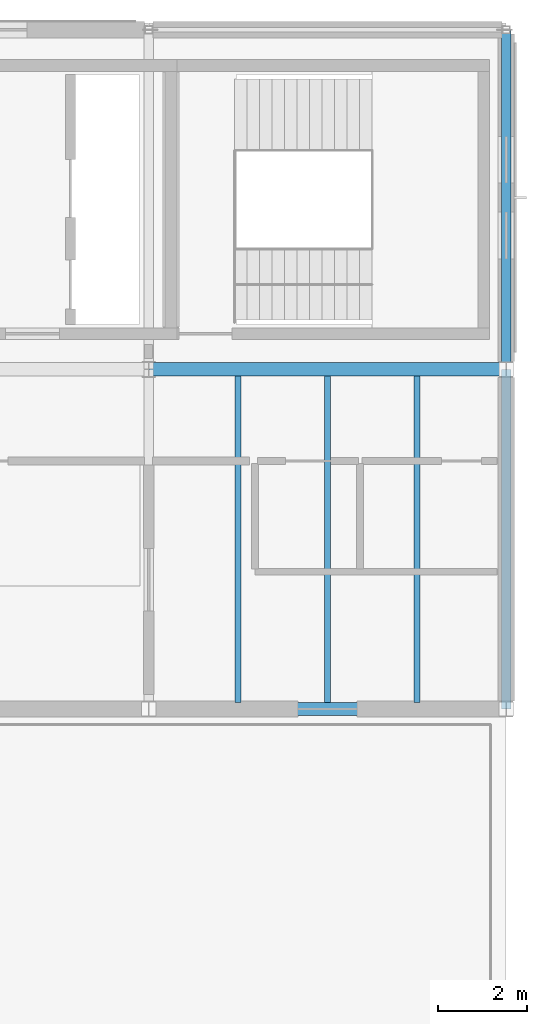
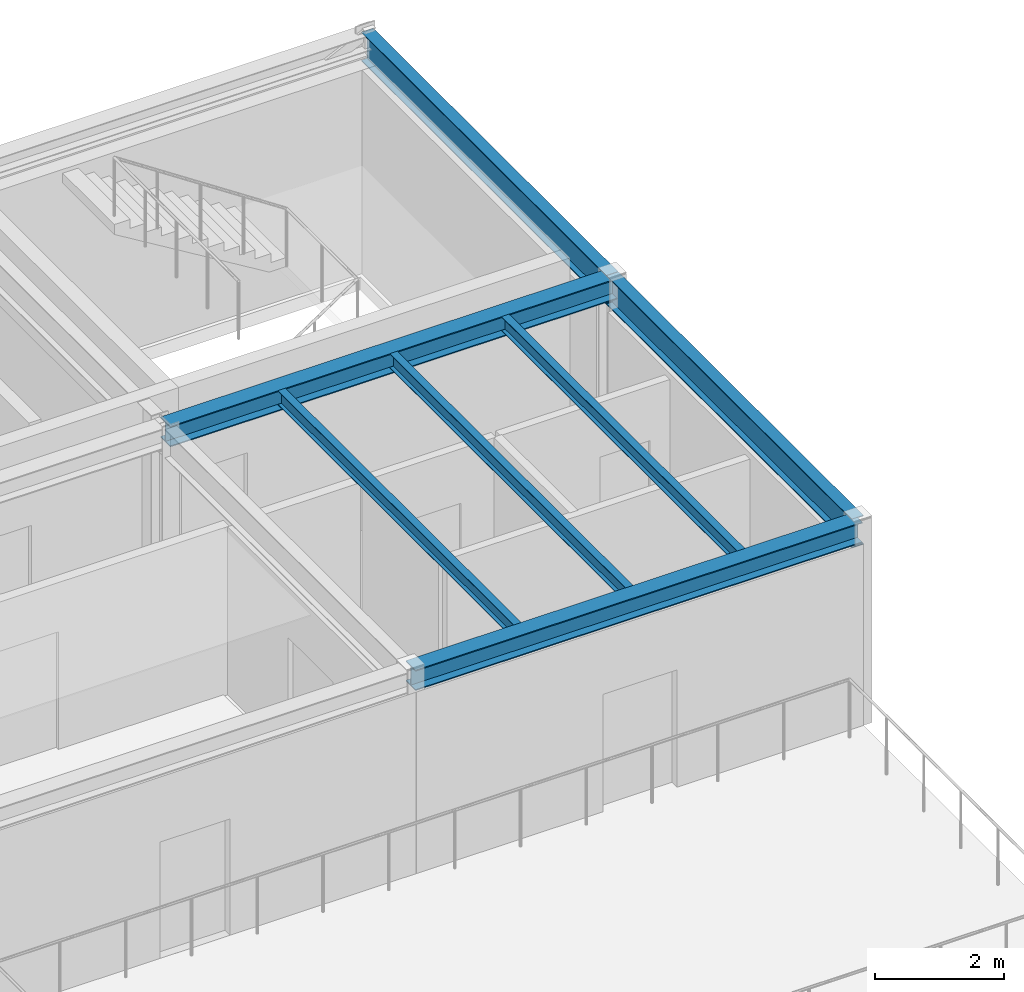
# One storey, part 15 of 26: 7 beams.
"""IFC4 building model written with IfcOpenShell, lengths in metres."""

import ifcopenshell
import ifcopenshell.guid

model = None  # the IFC model being written
_history = None  # IfcOwnerHistory: only IFC2X3 demands one
_inside = {}  # id of a spatial element -> (the spatial element, [elements in it])
_under = {}  # id of a project, library or spatial element -> (it, [spatial elements below it])
_declared = {}  # id of a project -> (the project, [libraries it declares])
_typed = {}  # id of a type object -> (the type object, [elements of that type])
_made_of = {}  # id of a material, layer set ... -> (it, [elements and type objects made of it])


def new_model(schema):
    """Start an empty IFC model of exactly this schema.

    Asked for "IFC4X3", IfcOpenShell would pick the latest addendum, in which some entities
    have other attributes; the version numbers below select the first issue.
    IFC2X3 requires an IfcOwnerHistory on every rooted entity: one is made here for all.
    """
    global model, _history
    if schema == "IFC4X3":
        model = ifcopenshell.file(schema_version=(4, 3, 0, 0))
    else:
        model = ifcopenshell.file(schema=schema)
    _inside.clear()
    _under.clear()
    _declared.clear()
    _typed.clear()
    _made_of.clear()
    _history = None
    if model.schema == "IFC2X3":
        org = make("IfcOrganization", Name="unknown")
        user = make(
            "IfcPersonAndOrganization",
            ThePerson=make("IfcPerson", FamilyName="unknown"),
            TheOrganization=org,
        )
        app = make(
            "IfcApplication",
            ApplicationDeveloper=org,
            Version="unknown",
            ApplicationFullName="unknown",
            ApplicationIdentifier="unknown",
        )
        _history = make(
            "IfcOwnerHistory",
            OwningUser=user,
            OwningApplication=app,
            ChangeAction="ADDED",
            CreationDate=0,
        )
    return model


def make(cls, **values):
    """One entity of the class cls with the attributes given. An attribute that is None is left unset."""
    return model.create_entity(
        cls, **{name: value for name, value in values.items() if value is not None}
    )


def rooted(cls, **values):
    """An entity with a GlobalId (a new one), such as an element, a storey or a relation."""
    return make(cls, GlobalId=ifcopenshell.guid.new(), OwnerHistory=_history, **values)


def si_unit(unit_type, name, prefix=None):
    """IfcSIUnit, for example si_unit("LENGTHUNIT", "METRE", prefix="MILLI")."""
    return make("IfcSIUnit", UnitType=unit_type, Prefix=prefix, Name=name)


def assignment(units):
    """IfcUnitAssignment: the units of a project."""
    return None if units is None else make("IfcUnitAssignment", Units=units)


def point(xyz):
    """IfcCartesianPoint."""
    return None if xyz is None else make("IfcCartesianPoint", Coordinates=xyz)


def direction(xyz):
    """IfcDirection."""
    return None if xyz is None else make("IfcDirection", DirectionRatios=xyz)


def frame(location, z_axis=None, x_axis=None):
    """IfcAxis2Placement3D, a coordinate frame: its origin and axes. An axis left out is left unset."""
    return make(
        "IfcAxis2Placement3D",
        Location=point(location),
        Axis=direction(z_axis),
        RefDirection=direction(x_axis),
    )


def frame_2d(location, x_axis=None):
    """IfcAxis2Placement2D, a coordinate frame in the plane: its origin and x axis."""
    return make(
        "IfcAxis2Placement2D", Location=point(location), RefDirection=direction(x_axis)
    )


def origin():
    """The frame at (0, 0, 0) with its axes left unset."""
    return frame((0.0, 0.0, 0.0))


def origin_2d():
    """The frame at (0, 0) in the plane with its x axis left unset."""
    return frame_2d((0.0, 0.0))


def place(relative_to, where):
    """IfcLocalPlacement: puts the frame where relative to a parent placement (None: the world)."""
    return make(
        "IfcLocalPlacement", PlacementRelTo=relative_to, RelativePlacement=where
    )


def context(
    kind, dimensions, precision=None, world=None, true_north=None, identifier=None
):
    """IfcGeometricRepresentationContext, for example the 3D "Model" context."""
    return make(
        "IfcGeometricRepresentationContext",
        ContextIdentifier=identifier,
        ContextType=kind,
        CoordinateSpaceDimension=dimensions,
        Precision=precision,
        WorldCoordinateSystem=world,
        TrueNorth=true_north,
    )


def subcontext(parent, identifier, kind, view, scale=None):
    """IfcGeometricRepresentationSubContext, for example "Body" below "Model"."""
    return make(
        "IfcGeometricRepresentationSubContext",
        ContextIdentifier=identifier,
        ContextType=kind,
        ParentContext=parent,
        TargetScale=scale,
        TargetView=view,
    )


def project(units=None, contexts=None):
    """IfcProject with its units and contexts."""
    return rooted(
        "IfcProject",
        Name="project",
        RepresentationContexts=contexts,
        UnitsInContext=assignment(units),
    )


def spatial(cls, under=None, at=None, **own):
    """A site, building, storey or space (cls), placed at a placement, below another one or the project."""
    s = rooted(cls, ObjectPlacement=at, **own)
    if under is not None:
        _under.setdefault(under.id(), (under, []))[1].append(s)
    return s


def profile(cls, at=None, kind="AREA", **sizes):
    """A parametric profile (cls). Its sizes go by their IFC names, for example OverallWidth=200.0."""
    return make(cls, ProfileType=kind, Position=at, **sizes)


def i_section(**sizes):
    """IfcIShapeProfileDef."""
    return profile("IfcIShapeProfileDef", **sizes)


def extrude(swept, where, along, depth):
    """IfcExtrudedAreaSolid: the profile swept, set in the frame where, extruded along a direction by depth."""
    return make(
        "IfcExtrudedAreaSolid",
        SweptArea=swept,
        Position=where,
        ExtrudedDirection=direction(along),
        Depth=depth,
    )


def shape(context_of_items, identifier, shape_type, items):
    """IfcShapeRepresentation: the items that make up one representation, for example the "Body"."""
    return make(
        "IfcShapeRepresentation",
        ContextOfItems=context_of_items,
        RepresentationIdentifier=identifier,
        RepresentationType=shape_type,
        Items=items,
    )


def material(Name=None, Category=None):
    """IfcMaterial."""
    return make("IfcMaterial", Name=Name, Category=Category)


def material_profile(
    of_material, cross_section, Name=None, Category=None, Priority=None
):
    """IfcMaterialProfile: a cross section and its material."""
    return make(
        "IfcMaterialProfile",
        Name=Name,
        Material=of_material,
        Profile=cross_section,
        Priority=Priority,
        Category=Category,
    )


def profile_set(profiles, Name=None, composite=None):
    """IfcMaterialProfileSet."""
    return make(
        "IfcMaterialProfileSet",
        Name=Name,
        MaterialProfiles=profiles,
        CompositeProfile=composite,
    )


def made_of(thing, what):
    """Note that an element or type object is made of a material, layer set ...; save() writes the relation."""
    if what is not None:
        _made_of.setdefault(what.id(), (what, []))[1].append(thing)
    return thing


def type_object(cls, material=None, **own):
    """A type object (cls), such as IfcWallType, which elements share."""
    return made_of(rooted(cls, **own), material)


def element(
    cls,
    number,
    at=None,
    inside=None,
    cuts=None,
    type_object=None,
    material=None,
    context=None,
    identifier="Body",
    shape_type=None,
    held_by="IfcProductDefinitionShape",
    body=None,
    shapes=None,
    **own,
):
    """One element of the class cls, such as IfcWall. Its Tag is "e" and its number.

    at: its placement. inside: the storey or other place that contains it. cuts: it is an
    opening in that element (IfcRelVoidsElement). A single representation is given by context,
    identifier, shape_type and body (its items); several are given by shapes. held_by: the class
    of the entity that holds the representations. save() writes the other relations.
    """
    e = rooted(cls, Tag="e%d" % number, ObjectPlacement=at, **own)
    if body is not None:
        shapes = [shape(context, identifier, shape_type, body)]
    if shapes is not None:
        e.Representation = make(held_by, Representations=shapes)
    if inside is not None:
        _inside.setdefault(inside.id(), (inside, []))[1].append(e)
    if cuts is not None:
        rooted(
            "IfcRelVoidsElement", RelatingBuildingElement=cuts, RelatedOpeningElement=e
        )
    if type_object is not None:
        _typed.setdefault(type_object.id(), (type_object, []))[1].append(e)
    return made_of(e, material)


def aggregate(whole, parts):
    """IfcRelAggregates: a whole, such as a stair, and the parts it consists of."""
    return rooted("IfcRelAggregates", RelatingObject=whole, RelatedObjects=parts)


def save(model, path):
    """Write the relations noted so far, then the file.

    IfcRelAggregates (storeys below a building ...), IfcRelContainedInSpatialStructure (elements
    in a storey), IfcRelDefinesByType, IfcRelAssociatesMaterial and IfcRelDeclares: one each for
    every whole, place, type object, material and project.
    """
    for whole, parts in _under.values():
        aggregate(whole, parts)
    for where, things in _inside.values():
        rooted(
            "IfcRelContainedInSpatialStructure",
            RelatedElements=things,
            RelatingStructure=where,
        )
    for kind, things in _typed.values():
        rooted("IfcRelDefinesByType", RelatedObjects=things, RelatingType=kind)
    for what, things in _made_of.values():
        rooted("IfcRelAssociatesMaterial", RelatedObjects=things, RelatingMaterial=what)
    for by, libraries in _declared.values():
        rooted("IfcRelDeclares", RelatingContext=by, RelatedDefinitions=libraries)
    model.write(path)


model = new_model("IFC4")

# Units and contexts
model_context = context("Model", 3, precision=1e-05, world=origin(), true_north=direction((0.0, 1.0)))
body_context = subcontext(model_context, "Body", "Model", "MODEL_VIEW")
ifc_project = project(units=[si_unit("LENGTHUNIT", "METRE"), si_unit("AREAUNIT", "SQUARE_METRE"), si_unit("VOLUMEUNIT", "CUBIC_METRE"), si_unit("PLANEANGLEUNIT", "RADIAN"), si_unit("MASSUNIT", "GRAM", prefix="KILO")], contexts=[model_context])

# Site, building, storey
site_placement = place(None, origin())
site = spatial("IfcSite", under=ifc_project, at=site_placement, CompositionType="ELEMENT")
building_placement = place(site_placement, origin())
building = spatial("IfcBuilding", under=site, at=building_placement, Name="Montecoro Central Library", CompositionType="ELEMENT")
storey_placement = place(building_placement, frame((0.0, 0.0, 21.419921875)))
storey = spatial("IfcBuildingStorey", under=building, at=storey_placement, Name="L05", CompositionType="ELEMENT", Elevation=21.419921875)

# Beams
ifc_material_1 = material(Name="Steel S355", Category="steel")
ifc_material_profile_1 = material_profile(ifc_material_1, i_section(OverallWidth=0.300048828125, OverallDepth=0.389892578125, WebThickness=0.010986328125, FlangeThickness=0.01904296875, at=origin_2d()), Name="HEA 400")
ifc_profile_set_1 = profile_set([ifc_material_profile_1], Name="Steel S355")
beam_type_1 = type_object("IfcBeamType", Name="BM-G-HEA400", PredefinedType="USERDEFINED", material=ifc_profile_set_1)
for number, where, z_axis, x_axis, name in (
    (1, (149.0048828125, 103.800048828125, 3.630126953125), (1.0, 0.0, 0.0), (0.0, 1.0, 0.0), "V5-L05-BX-1920-P"),
    (2, (149.0048828125, 111.39990234375, 3.630126953125), (1.0, 0.0, 0.0), (0.0, 1.0, 0.0), "V5-L05-BX-1920-Q"),
):
    element("IfcBeam", number, at=place(storey_placement, frame(where, z_axis=z_axis, x_axis=x_axis)), inside=storey, type_object=beam_type_1, Name=name, ObjectType="GIRDER", PredefinedType="USERDEFINED", context=body_context, shape_type="SweptSolid", body=[
        extrude(i_section(OverallWidth=0.300048828125, OverallDepth=0.389892578125, WebThickness=0.010986328125, FlangeThickness=0.01904296875, at=origin_2d()), origin(), (0.0, 0.0, 1.0), 7.990234375),
    ])
ifc_material_2 = material(Name="Steel S355J2", Category="steel")
ifc_material_profile_2 = material_profile(ifc_material_2, i_section(OverallWidth=0.2099609375, OverallDepth=0.550048828125, WebThickness=0.010986328125, FlangeThickness=0.01708984375, at=origin_2d()), Name="IPE 550")
ifc_profile_set_2 = profile_set([ifc_material_profile_2], Name="Steel S355J2")
beam_type_2 = type_object("IfcBeamType", Name="BM-G-IPE550", PredefinedType="USERDEFINED", material=ifc_profile_set_2)
for number, where, z_axis, x_axis, name in (
    (3, (157.0, 103.804931640625, 3.550048828125), (0.0, 1.0, 0.0), (-1.0, 0.0, 0.0), "V5-L05-BY-20-PQ"),
    (4, (157.0, 111.405029296875, 3.550048828125), (0.0, 1.0, 0.0), (-1.0, 0.0, 0.0), "V5-L05-BY-20-QR"),
):
    element("IfcBeam", number, at=place(storey_placement, frame(where, z_axis=z_axis, x_axis=x_axis)), inside=storey, type_object=beam_type_2, Name=name, ObjectType="GIRDER", PredefinedType="USERDEFINED", context=body_context, shape_type="SweptSolid", body=[
        extrude(i_section(OverallWidth=0.2099609375, OverallDepth=0.550048828125, WebThickness=0.010986328125, FlangeThickness=0.01708984375, at=origin_2d()), origin(), (0.0, 0.0, 1.0), 7.590087890625),
    ])
ifc_material_profile_3 = material_profile(ifc_material_1, i_section(OverallWidth=0.135009765625, OverallDepth=0.27001953125, WebThickness=0.006591796875, FlangeThickness=0.01025390625, at=origin_2d()), Name="IPE 270")
ifc_profile_set_3 = profile_set([ifc_material_profile_3], Name="Steel S355")
beam_type_3 = type_object("IfcBeamType", Name="BM-J-IPE270", PredefinedType="JOIST", material=ifc_profile_set_3)
for number, where, z_axis, x_axis, name in (
    (5, (151.0, 103.947021484375, 3.690185546875), (0.0, 1.0, 0.0), (-1.0, 0.0, 0.0), "V5-L05-JS-1920-PQ-1"),
    (6, (153.0, 103.947021484375, 3.690185546875), (0.0, 1.0, 0.0), (-1.0, 0.0, 0.0), "V5-L05-JS-1920-PQ-2"),
    (7, (155.0, 103.947021484375, 3.690185546875), (0.0, 1.0, 0.0), (-1.0, 0.0, 0.0), "V5-L05-JS-1920-PQ-3"),
):
    element("IfcBeam", number, at=place(storey_placement, frame(where, z_axis=z_axis, x_axis=x_axis)), inside=storey, type_object=beam_type_3, Name=name, PredefinedType="JOIST", context=body_context, shape_type="SweptSolid", body=[
        extrude(i_section(OverallWidth=0.135009765625, OverallDepth=0.27001953125, WebThickness=0.006591796875, FlangeThickness=0.01025390625, at=origin_2d()), origin(), (0.0, 0.0, 1.0), 7.305908203125),
    ])

save(model, "model.ifc")
